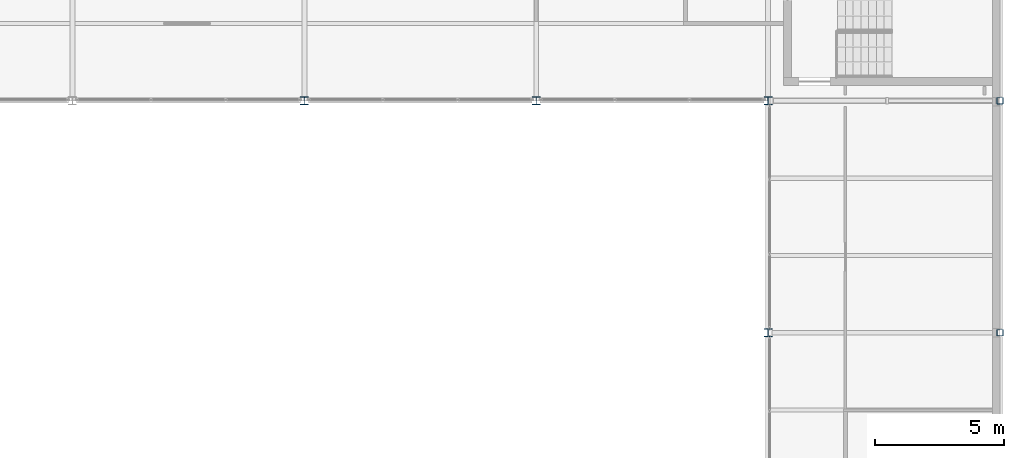
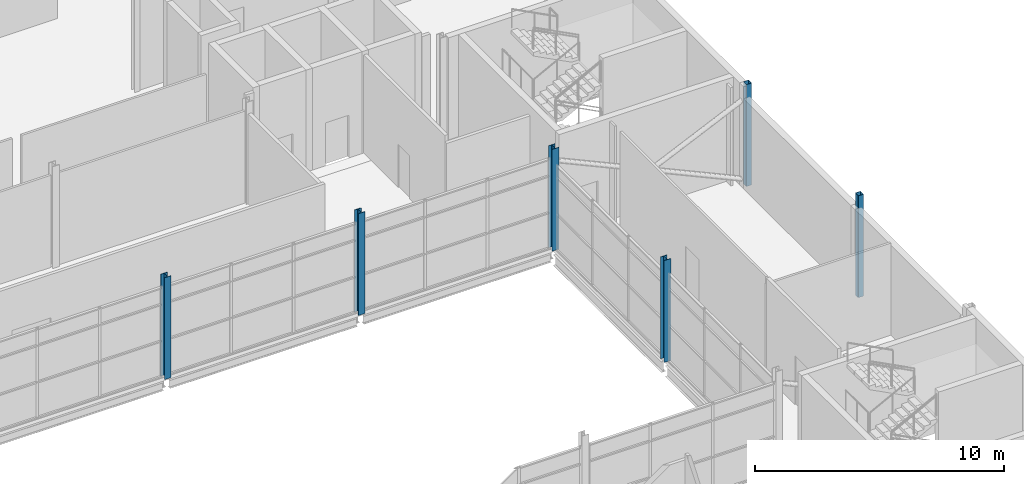
# One storey, part 4 of 61: 6 columns.
"""IFC4 building model written with IfcOpenShell, lengths in metres."""

import ifcopenshell
import ifcopenshell.guid

model = None  # the IFC model being written
_history = None  # IfcOwnerHistory: only IFC2X3 demands one
_inside = {}  # id of a spatial element -> (the spatial element, [elements in it])
_under = {}  # id of a project, library or spatial element -> (it, [spatial elements below it])
_declared = {}  # id of a project -> (the project, [libraries it declares])
_typed = {}  # id of a type object -> (the type object, [elements of that type])
_made_of = {}  # id of a material, layer set ... -> (it, [elements and type objects made of it])


def new_model(schema):
    """Start an empty IFC model of exactly this schema.

    Asked for "IFC4X3", IfcOpenShell would pick the latest addendum, in which some entities
    have other attributes; the version numbers below select the first issue.
    IFC2X3 requires an IfcOwnerHistory on every rooted entity: one is made here for all.
    """
    global model, _history
    if schema == "IFC4X3":
        model = ifcopenshell.file(schema_version=(4, 3, 0, 0))
    else:
        model = ifcopenshell.file(schema=schema)
    _inside.clear()
    _under.clear()
    _declared.clear()
    _typed.clear()
    _made_of.clear()
    _history = None
    if model.schema == "IFC2X3":
        org = make("IfcOrganization", Name="unknown")
        user = make(
            "IfcPersonAndOrganization",
            ThePerson=make("IfcPerson", FamilyName="unknown"),
            TheOrganization=org,
        )
        app = make(
            "IfcApplication",
            ApplicationDeveloper=org,
            Version="unknown",
            ApplicationFullName="unknown",
            ApplicationIdentifier="unknown",
        )
        _history = make(
            "IfcOwnerHistory",
            OwningUser=user,
            OwningApplication=app,
            ChangeAction="ADDED",
            CreationDate=0,
        )
    return model


def make(cls, **values):
    """One entity of the class cls with the attributes given. An attribute that is None is left unset."""
    return model.create_entity(
        cls, **{name: value for name, value in values.items() if value is not None}
    )


def rooted(cls, **values):
    """An entity with a GlobalId (a new one), such as an element, a storey or a relation."""
    return make(cls, GlobalId=ifcopenshell.guid.new(), OwnerHistory=_history, **values)


def si_unit(unit_type, name, prefix=None):
    """IfcSIUnit, for example si_unit("LENGTHUNIT", "METRE", prefix="MILLI")."""
    return make("IfcSIUnit", UnitType=unit_type, Prefix=prefix, Name=name)


def assignment(units):
    """IfcUnitAssignment: the units of a project."""
    return None if units is None else make("IfcUnitAssignment", Units=units)


def point(xyz):
    """IfcCartesianPoint."""
    return None if xyz is None else make("IfcCartesianPoint", Coordinates=xyz)


def direction(xyz):
    """IfcDirection."""
    return None if xyz is None else make("IfcDirection", DirectionRatios=xyz)


def frame(location, z_axis=None, x_axis=None):
    """IfcAxis2Placement3D, a coordinate frame: its origin and axes. An axis left out is left unset."""
    return make(
        "IfcAxis2Placement3D",
        Location=point(location),
        Axis=direction(z_axis),
        RefDirection=direction(x_axis),
    )


def frame_2d(location, x_axis=None):
    """IfcAxis2Placement2D, a coordinate frame in the plane: its origin and x axis."""
    return make(
        "IfcAxis2Placement2D", Location=point(location), RefDirection=direction(x_axis)
    )


def origin():
    """The frame at (0, 0, 0) with its axes left unset."""
    return frame((0.0, 0.0, 0.0))


def origin_2d():
    """The frame at (0, 0) in the plane with its x axis left unset."""
    return frame_2d((0.0, 0.0))


def place(relative_to, where):
    """IfcLocalPlacement: puts the frame where relative to a parent placement (None: the world)."""
    return make(
        "IfcLocalPlacement", PlacementRelTo=relative_to, RelativePlacement=where
    )


def context(
    kind, dimensions, precision=None, world=None, true_north=None, identifier=None
):
    """IfcGeometricRepresentationContext, for example the 3D "Model" context."""
    return make(
        "IfcGeometricRepresentationContext",
        ContextIdentifier=identifier,
        ContextType=kind,
        CoordinateSpaceDimension=dimensions,
        Precision=precision,
        WorldCoordinateSystem=world,
        TrueNorth=true_north,
    )


def subcontext(parent, identifier, kind, view, scale=None):
    """IfcGeometricRepresentationSubContext, for example "Body" below "Model"."""
    return make(
        "IfcGeometricRepresentationSubContext",
        ContextIdentifier=identifier,
        ContextType=kind,
        ParentContext=parent,
        TargetScale=scale,
        TargetView=view,
    )


def project(units=None, contexts=None):
    """IfcProject with its units and contexts."""
    return rooted(
        "IfcProject",
        Name="project",
        RepresentationContexts=contexts,
        UnitsInContext=assignment(units),
    )


def spatial(cls, under=None, at=None, **own):
    """A site, building, storey or space (cls), placed at a placement, below another one or the project."""
    s = rooted(cls, ObjectPlacement=at, **own)
    if under is not None:
        _under.setdefault(under.id(), (under, []))[1].append(s)
    return s


def profile(cls, at=None, kind="AREA", **sizes):
    """A parametric profile (cls). Its sizes go by their IFC names, for example OverallWidth=200.0."""
    return make(cls, ProfileType=kind, Position=at, **sizes)


def hollow_rectangle(**sizes):
    """IfcRectangleHollowProfileDef."""
    return profile("IfcRectangleHollowProfileDef", **sizes)


def i_section(**sizes):
    """IfcIShapeProfileDef."""
    return profile("IfcIShapeProfileDef", **sizes)


def extrude(swept, where, along, depth):
    """IfcExtrudedAreaSolid: the profile swept, set in the frame where, extruded along a direction by depth."""
    return make(
        "IfcExtrudedAreaSolid",
        SweptArea=swept,
        Position=where,
        ExtrudedDirection=direction(along),
        Depth=depth,
    )


def shape(context_of_items, identifier, shape_type, items):
    """IfcShapeRepresentation: the items that make up one representation, for example the "Body"."""
    return make(
        "IfcShapeRepresentation",
        ContextOfItems=context_of_items,
        RepresentationIdentifier=identifier,
        RepresentationType=shape_type,
        Items=items,
    )


def material(Name=None, Category=None):
    """IfcMaterial."""
    return make("IfcMaterial", Name=Name, Category=Category)


def material_profile(
    of_material, cross_section, Name=None, Category=None, Priority=None
):
    """IfcMaterialProfile: a cross section and its material."""
    return make(
        "IfcMaterialProfile",
        Name=Name,
        Material=of_material,
        Profile=cross_section,
        Priority=Priority,
        Category=Category,
    )


def profile_set(profiles, Name=None, composite=None):
    """IfcMaterialProfileSet."""
    return make(
        "IfcMaterialProfileSet",
        Name=Name,
        MaterialProfiles=profiles,
        CompositeProfile=composite,
    )


def made_of(thing, what):
    """Note that an element or type object is made of a material, layer set ...; save() writes the relation."""
    if what is not None:
        _made_of.setdefault(what.id(), (what, []))[1].append(thing)
    return thing


def type_object(cls, material=None, **own):
    """A type object (cls), such as IfcWallType, which elements share."""
    return made_of(rooted(cls, **own), material)


def element(
    cls,
    number,
    at=None,
    inside=None,
    cuts=None,
    type_object=None,
    material=None,
    context=None,
    identifier="Body",
    shape_type=None,
    held_by="IfcProductDefinitionShape",
    body=None,
    shapes=None,
    **own,
):
    """One element of the class cls, such as IfcWall. Its Tag is "e" and its number.

    at: its placement. inside: the storey or other place that contains it. cuts: it is an
    opening in that element (IfcRelVoidsElement). A single representation is given by context,
    identifier, shape_type and body (its items); several are given by shapes. held_by: the class
    of the entity that holds the representations. save() writes the other relations.
    """
    e = rooted(cls, Tag="e%d" % number, ObjectPlacement=at, **own)
    if body is not None:
        shapes = [shape(context, identifier, shape_type, body)]
    if shapes is not None:
        e.Representation = make(held_by, Representations=shapes)
    if inside is not None:
        _inside.setdefault(inside.id(), (inside, []))[1].append(e)
    if cuts is not None:
        rooted(
            "IfcRelVoidsElement", RelatingBuildingElement=cuts, RelatedOpeningElement=e
        )
    if type_object is not None:
        _typed.setdefault(type_object.id(), (type_object, []))[1].append(e)
    return made_of(e, material)


def aggregate(whole, parts):
    """IfcRelAggregates: a whole, such as a stair, and the parts it consists of."""
    return rooted("IfcRelAggregates", RelatingObject=whole, RelatedObjects=parts)


def save(model, path):
    """Write the relations noted so far, then the file.

    IfcRelAggregates (storeys below a building ...), IfcRelContainedInSpatialStructure (elements
    in a storey), IfcRelDefinesByType, IfcRelAssociatesMaterial and IfcRelDeclares: one each for
    every whole, place, type object, material and project.
    """
    for whole, parts in _under.values():
        aggregate(whole, parts)
    for where, things in _inside.values():
        rooted(
            "IfcRelContainedInSpatialStructure",
            RelatedElements=things,
            RelatingStructure=where,
        )
    for kind, things in _typed.values():
        rooted("IfcRelDefinesByType", RelatedObjects=things, RelatingType=kind)
    for what, things in _made_of.values():
        rooted("IfcRelAssociatesMaterial", RelatedObjects=things, RelatingMaterial=what)
    for by, libraries in _declared.values():
        rooted("IfcRelDeclares", RelatingContext=by, RelatedDefinitions=libraries)
    model.write(path)


model = new_model("IFC4")

# Units and contexts
model_context = context("Model", 3, precision=1e-05, world=origin(), true_north=direction((0.0, 1.0)))
body_context = subcontext(model_context, "Body", "Model", "MODEL_VIEW")
ifc_project = project(units=[si_unit("LENGTHUNIT", "METRE"), si_unit("AREAUNIT", "SQUARE_METRE"), si_unit("VOLUMEUNIT", "CUBIC_METRE"), si_unit("PLANEANGLEUNIT", "RADIAN"), si_unit("MASSUNIT", "GRAM", prefix="KILO")], contexts=[model_context])

# Site, building, storey
site_placement = place(None, origin())
site = spatial("IfcSite", under=ifc_project, at=site_placement, CompositionType="ELEMENT")
building_placement = place(site_placement, origin())
building = spatial("IfcBuilding", under=site, at=building_placement, Name="Shorebreak Coast Museum", CompositionType="ELEMENT")
storey_placement = place(building_placement, frame((0.0, 0.0, 26.0)))
storey = spatial("IfcBuildingStorey", under=building, at=storey_placement, Name="L04", CompositionType="ELEMENT", Elevation=26.0)

# Columns
ifc_material_1 = material(Name="Steel Grade C450L0", Category="steel")
ifc_material_profile_1 = material_profile(ifc_material_1, hollow_rectangle(XDim=0.25, YDim=0.25, WallThickness=0.009033203125, InnerFilletRadius=0.013427734375, OuterFilletRadius=0.0224609375, at=origin_2d()), Name="250x250x9.0 SHS")
ifc_profile_set_1 = profile_set([ifc_material_profile_1], Name="Steel Grade C450L0")
column_type_1 = type_object("IfcColumnType", Name="Column 250x250x9.0 SHS", PredefinedType="COLUMN", material=ifc_profile_set_1)
for number, where, z_axis, x_axis, name in (
    (1, (117.0, 72.0, 0.0), (0.0, 0.0, 1.0), (1.0, 0.0, 0.0), "Column L04 14J"),
    (2, (117.0, 81.0, 0.0), (0.0, 0.0, 1.0), (1.0, 0.0, 0.0), "Column L04 14K"),
):
    element("IfcColumn", number, at=place(storey_placement, frame(where, z_axis=z_axis, x_axis=x_axis)), inside=storey, type_object=column_type_1, Name=name, PredefinedType="COLUMN", context=body_context, shape_type="SweptSolid", body=[
        extrude(hollow_rectangle(XDim=0.25, YDim=0.25, WallThickness=0.009033203125, InnerFilletRadius=0.013427734375, OuterFilletRadius=0.0224609375, at=origin_2d()), origin(), (0.0, 0.0, 1.0), 5.0),
    ])
ifc_material_2 = material(Name="Steel Grade 300", Category="steel")
ifc_material_profile_2 = material_profile(ifc_material_2, i_section(OverallWidth=0.306884765625, OverallDepth=0.314697265625, WebThickness=0.011962890625, FlangeThickness=0.018798828125, FilletRadius=0.0166015625, at=origin_2d()), Name="310UC118")
ifc_profile_set_2 = profile_set([ifc_material_profile_2], Name="Steel Grade 300")
column_type_2 = type_object("IfcColumnType", Name="Column 310UC118", PredefinedType="COLUMN", material=ifc_profile_set_2)
for number, where, z_axis, x_axis, name in (
    (3, (108.0, 72.0, 0.0), (0.0, 0.0, 1.0), (1.0, 0.0, 0.0), "Column L04 13J"),
    (4, (90.0, 81.0, 0.0), (0.0, 0.0, 1.0), (1.0, 0.0, 0.0), "Column L04 11K"),
    (5, (99.0, 81.0, 0.0), (0.0, 0.0, 1.0), (1.0, 0.0, 0.0), "Column L04 12K"),
    (6, (108.0, 81.0, 0.0), (0.0, 0.0, 1.0), (1.0, 0.0, 0.0), "Column L04 13K"),
):
    element("IfcColumn", number, at=place(storey_placement, frame(where, z_axis=z_axis, x_axis=x_axis)), inside=storey, type_object=column_type_2, Name=name, PredefinedType="COLUMN", context=body_context, shape_type="SweptSolid", body=[
        extrude(i_section(OverallWidth=0.306884765625, OverallDepth=0.314697265625, WebThickness=0.011962890625, FlangeThickness=0.018798828125, FilletRadius=0.0166015625, at=origin_2d()), origin(), (0.0, 0.0, 1.0), 5.0),
    ])

save(model, "model.ifc")
